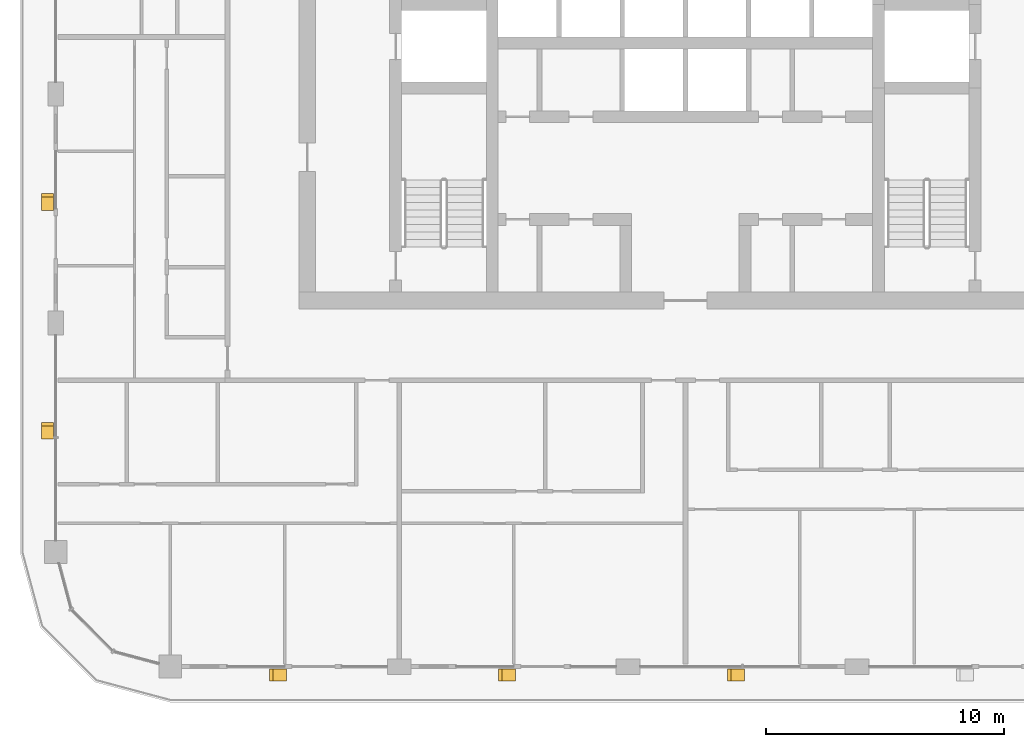
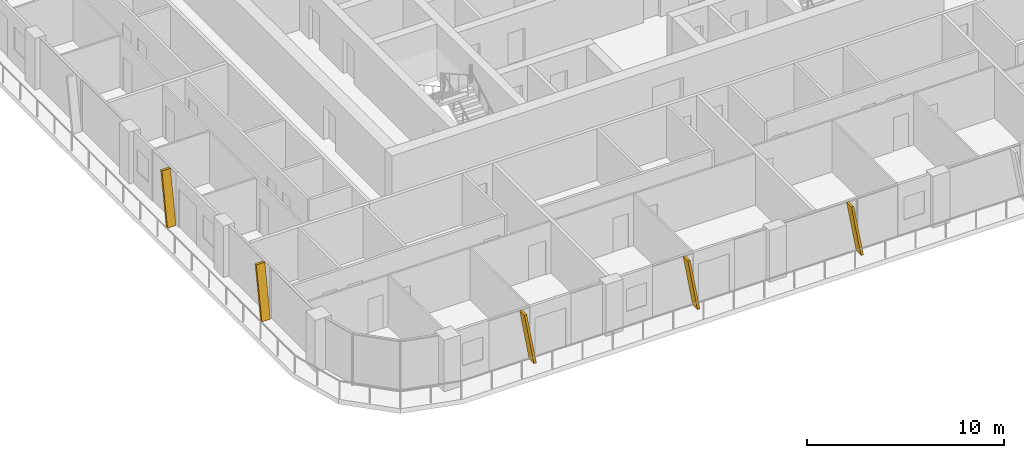
# One storey, part 17 of 22: 5 shading devices.
"""IFC4 building model written with IfcOpenShell, lengths in metres."""

from ifc_helpers import new_model, si_unit, direction, frame, origin, place, context, subcontext, project, spatial, polyline, outline, extrude, material, type_object, element, save


model = new_model("IFC4")

# Units and contexts
model_context = context("Model", 3, precision=1e-05, world=origin(), true_north=direction((0.0, 1.0)))
body_context = subcontext(model_context, "Body", "Model", "MODEL_VIEW")
ifc_project = project(units=[si_unit("LENGTHUNIT", "METRE"), si_unit("AREAUNIT", "SQUARE_METRE"), si_unit("VOLUMEUNIT", "CUBIC_METRE"), si_unit("PLANEANGLEUNIT", "RADIAN"), si_unit("MASSUNIT", "GRAM", prefix="KILO")], contexts=[model_context])

# Site, building, storey
site_placement = place(None, origin())
site = spatial("IfcSite", under=ifc_project, at=site_placement, CompositionType="ELEMENT")
building_placement = place(site_placement, origin())
building = spatial("IfcBuilding", under=site, at=building_placement, Name="Madar Terraces", CompositionType="ELEMENT")
storey_placement = place(building_placement, frame((0.0, 0.0, 189.39990234375)))
storey = spatial("IfcBuildingStorey", under=building, at=storey_placement, Name="L49", CompositionType="ELEMENT", Elevation=189.39990234375)

# Shading devices
ifc_material = material(Name="Aluminium, black anodised", Category="aluminium")
shading_device_type = type_object("IfcShadingDeviceType", Name="Facade fin blade 140 x 500", PredefinedType="USERDEFINED", material=ifc_material)
shading_device_1_placement = place(storey_placement, frame((14.330078125, -0.35009765625, 0.0), z_axis=(0.0, 0.0, 1.0), x_axis=(1.0, 0.0, 0.0)))
element("IfcShadingDevice", 1, at=shading_device_1_placement, inside=storey, type_object=shading_device_type, Name="FIN L49 S1", ObjectType="FIN", PredefinedType="USERDEFINED", context=body_context, shape_type="SweptSolid", body=[
    extrude(outline(polyline([(0.0, 0.0), (0.139892578125, 0.0), (-0.42431640625, 3.2001953125), (-0.564208984375, 3.2001953125), (0.0, 0.0)])), frame((0.0, 0.25, 0.0), z_axis=(0.0, -1.0, 0.0), x_axis=(1.0, 0.0, 0.0)), (0.0, 0.0, 1.0), 0.5),
])
shading_device_2_placement = place(storey_placement, frame((23.929931640625, -0.35009765625, 0.0), z_axis=(0.0, 0.0, 1.0), x_axis=(1.0, 0.0, 0.0)))
element("IfcShadingDevice", 2, at=shading_device_2_placement, inside=storey, type_object=shading_device_type, Name="FIN L49 S2", ObjectType="FIN", PredefinedType="USERDEFINED", context=body_context, shape_type="SweptSolid", body=[
    extrude(outline(polyline([(0.0, 0.0), (0.14013671875, 0.0), (-0.42431640625, 3.2001953125), (-0.564208984375, 3.2001953125), (0.0, 0.0)])), frame((0.0, 0.25, 0.0), z_axis=(0.0, -1.0, 0.0), x_axis=(1.0, 0.0, 0.0)), (0.0, 0.0, 1.0), 0.5),
])
shading_device_3_placement = place(storey_placement, frame((33.530029296875, -0.35009765625, 0.0), z_axis=(0.0, 0.0, 1.0), x_axis=(1.0, 0.0, 0.0)))
element("IfcShadingDevice", 3, at=shading_device_3_placement, inside=storey, type_object=shading_device_type, Name="FIN L49 S3", ObjectType="FIN", PredefinedType="USERDEFINED", context=body_context, shape_type="SweptSolid", body=[
    extrude(outline(polyline([(0.0, 0.0), (0.139892578125, 0.0), (-0.42431640625, 3.2001953125), (-0.564208984375, 3.2001953125), (0.0, 0.0)])), frame((0.0, 0.25, 0.0), z_axis=(0.0, -1.0, 0.0), x_axis=(1.0, 0.0, 0.0)), (0.0, 0.0, 1.0), 0.5),
])
shading_device_4_placement = place(storey_placement, frame((4.449951171875, 19.27001953125, 0.0), z_axis=(0.0, 0.0, 1.0), x_axis=(0.0, -1.0, 0.0)))
element("IfcShadingDevice", 4, at=shading_device_4_placement, inside=storey, type_object=shading_device_type, Name="FIN L49 W3", ObjectType="FIN", PredefinedType="USERDEFINED", context=body_context, shape_type="SweptSolid", body=[
    extrude(outline(polyline([(0.0, 0.0), (0.14013671875, 0.0), (-0.42431640625, 3.2001953125), (-0.564208984375, 3.2001953125), (0.0, 0.0)])), frame((0.0, 0.25, 0.0), z_axis=(0.0, -1.0, 0.0), x_axis=(1.0, 0.0, 0.0)), (0.0, 0.0, 1.0), 0.5),
])
shading_device_5_placement = place(storey_placement, frame((4.449951171875, 9.669921875, 0.0), z_axis=(0.0, 0.0, 1.0), x_axis=(0.0, -1.0, 0.0)))
element("IfcShadingDevice", 5, at=shading_device_5_placement, inside=storey, type_object=shading_device_type, Name="FIN L49 W4", ObjectType="FIN", PredefinedType="USERDEFINED", context=body_context, shape_type="SweptSolid", body=[
    extrude(outline(polyline([(0.0, 0.0), (0.139892578125, 0.0), (-0.42431640625, 3.2001953125), (-0.564208984375, 3.2001953125), (0.0, 0.0)])), frame((0.0, 0.25, 0.0), z_axis=(0.0, -1.0, 0.0), x_axis=(1.0, 0.0, 0.0)), (0.0, 0.0, 1.0), 0.5),
])

save(model, "model.ifc")
